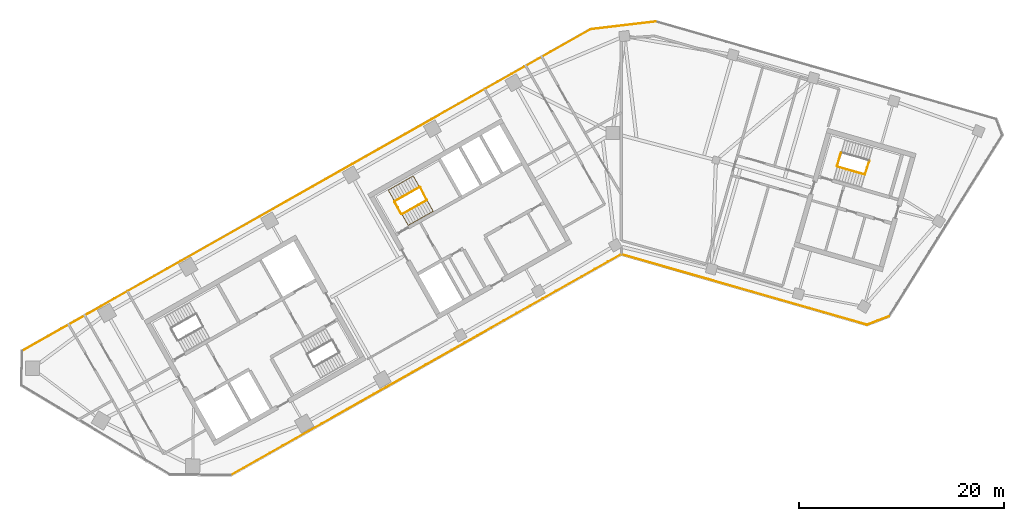
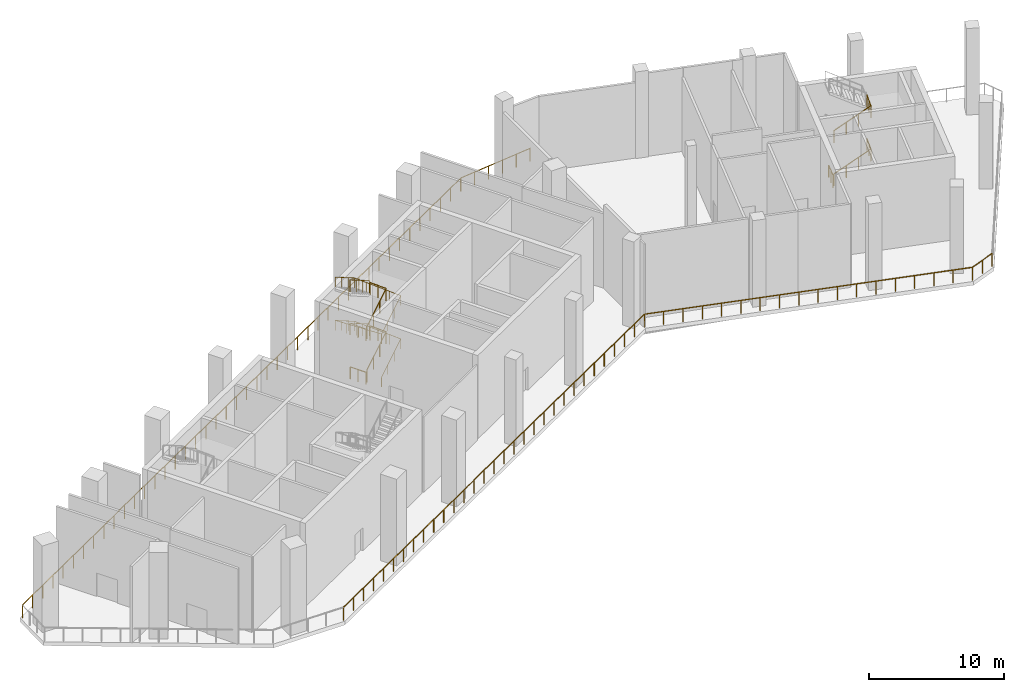
# One storey, part 7 of 8: 14 railings.
"""IFC4 building model written with IfcOpenShell, lengths in metres."""

from ifc_helpers import new_model, si_unit, direction, frame, origin, origin_2d, place, context, subcontext, project, spatial, circle, extrude, material, type_object, element, save


model = new_model("IFC4")

# Units and contexts
model_context = context("Model", 3, precision=1e-05, world=origin(), true_north=direction((0.0, 1.0)))
body_context = subcontext(model_context, "Body", "Model", "MODEL_VIEW")
ifc_project = project(units=[si_unit("LENGTHUNIT", "METRE"), si_unit("AREAUNIT", "SQUARE_METRE"), si_unit("VOLUMEUNIT", "CUBIC_METRE"), si_unit("PLANEANGLEUNIT", "RADIAN"), si_unit("MASSUNIT", "GRAM", prefix="KILO")], contexts=[model_context])

# Site, building, storey
site_placement = place(None, origin())
site = spatial("IfcSite", under=ifc_project, at=site_placement, CompositionType="ELEMENT")
building_placement = place(site_placement, origin())
building = spatial("IfcBuilding", under=site, at=building_placement, Name="Binnacle Exchange Tower", CompositionType="ELEMENT")
storey_placement = place(building_placement, frame((0.0, 0.0, 230.89990234375)))
storey = spatial("IfcBuildingStorey", under=building, at=storey_placement, Name="L51", CompositionType="ELEMENT", Elevation=230.89990234375)

# Railings
ifc_material_1 = material(Name="Bronze anodised aluminium frame", Category="aluminium")
railing_type_1 = type_object("IfcRailingType", Name="GUARD 1200", PredefinedType="GUARDRAIL", material=ifc_material_1)
railing_1_placement = place(storey_placement, frame((-58.52099609375, 38.718017578125, 0.0)))
element("IfcRailing", 1, at=railing_1_placement, inside=storey, type_object=railing_type_1, Name="Slab edge guard 3 L51", PredefinedType="GUARDRAIL", context=body_context, shape_type="SweptSolid", body=[
    extrude(circle(Radius=0.02392578125, at=origin_2d()), frame((0.0, 0.0, 1.17578125), z_axis=(0.870355770103, 0.49242342902, 0.0), x_axis=(-0.49242342902, 0.870355770103, 0.0)), (0.0, 0.0, 1.0), 63.792724609375),
    extrude(circle(Radius=0.02099609375, at=origin_2d()), origin(), (0.0, 0.0, 1.0), 1.15185546875),
    extrude(circle(Radius=0.02099609375, at=origin_2d()), frame((1.291259765625, 0.73046875, 0.0)), (0.0, 0.0, 1.0), 1.15185546875),
    extrude(circle(Radius=0.02099609375, at=origin_2d()), frame((2.58251953125, 1.461181640625, 0.0)), (0.0, 0.0, 1.0), 1.15185546875),
    extrude(circle(Radius=0.02099609375, at=origin_2d()), frame((3.873779296875, 2.191650390625, 0.0)), (0.0, 0.0, 1.0), 1.15185546875),
    extrude(circle(Radius=0.02099609375, at=origin_2d()), frame((5.164794921875, 2.922119140625, 0.0)), (0.0, 0.0, 1.0), 1.15185546875),
    extrude(circle(Radius=0.02099609375, at=origin_2d()), frame((6.4560546875, 3.652587890625, 0.0)), (0.0, 0.0, 1.0), 1.15185546875),
    extrude(circle(Radius=0.02099609375, at=origin_2d()), frame((7.747314453125, 4.38330078125, 0.0)), (0.0, 0.0, 1.0), 1.15185546875),
    extrude(circle(Radius=0.02099609375, at=origin_2d()), frame((9.03857421875, 5.11376953125, 0.0)), (0.0, 0.0, 1.0), 1.15185546875),
    extrude(circle(Radius=0.02099609375, at=origin_2d()), frame((10.329833984375, 5.84423828125, 0.0)), (0.0, 0.0, 1.0), 1.15185546875),
    extrude(circle(Radius=0.02099609375, at=origin_2d()), frame((11.62109375, 6.574951171875, 0.0)), (0.0, 0.0, 1.0), 1.15185546875),
    extrude(circle(Radius=0.02099609375, at=origin_2d()), frame((12.912109375, 7.305419921875, 0.0)), (0.0, 0.0, 1.0), 1.15185546875),
    extrude(circle(Radius=0.02099609375, at=origin_2d()), frame((14.203369140625, 8.035888671875, 0.0)), (0.0, 0.0, 1.0), 1.15185546875),
    extrude(circle(Radius=0.02099609375, at=origin_2d()), frame((15.49462890625, 8.766357421875, 0.0)), (0.0, 0.0, 1.0), 1.15185546875),
    extrude(circle(Radius=0.02099609375, at=origin_2d()), frame((16.785888671875, 9.4970703125, 0.0)), (0.0, 0.0, 1.0), 1.15185546875),
    extrude(circle(Radius=0.02099609375, at=origin_2d()), frame((18.0771484375, 10.2275390625, 0.0)), (0.0, 0.0, 1.0), 1.15185546875),
    extrude(circle(Radius=0.02099609375, at=origin_2d()), frame((19.368408203125, 10.9580078125, 0.0)), (0.0, 0.0, 1.0), 1.15185546875),
    extrude(circle(Radius=0.02099609375, at=origin_2d()), frame((20.659423828125, 11.6884765625, 0.0)), (0.0, 0.0, 1.0), 1.15185546875),
    extrude(circle(Radius=0.02099609375, at=origin_2d()), frame((21.95068359375, 12.419189453125, 0.0)), (0.0, 0.0, 1.0), 1.15185546875),
    extrude(circle(Radius=0.02099609375, at=origin_2d()), frame((23.241943359375, 13.149658203125, 0.0)), (0.0, 0.0, 1.0), 1.15185546875),
    extrude(circle(Radius=0.02099609375, at=origin_2d()), frame((24.533203125, 13.880126953125, 0.0)), (0.0, 0.0, 1.0), 1.15185546875),
    extrude(circle(Radius=0.02099609375, at=origin_2d()), frame((25.824462890625, 14.61083984375, 0.0)), (0.0, 0.0, 1.0), 1.15185546875),
    extrude(circle(Radius=0.02099609375, at=origin_2d()), frame((27.11572265625, 15.34130859375, 0.0)), (0.0, 0.0, 1.0), 1.15185546875),
    extrude(circle(Radius=0.02099609375, at=origin_2d()), frame((28.40673828125, 16.07177734375, 0.0)), (0.0, 0.0, 1.0), 1.15185546875),
    extrude(circle(Radius=0.02099609375, at=origin_2d()), frame((29.697998046875, 16.80224609375, 0.0)), (0.0, 0.0, 1.0), 1.15185546875),
    extrude(circle(Radius=0.02099609375, at=origin_2d()), frame((30.9892578125, 17.532958984375, 0.0)), (0.0, 0.0, 1.0), 1.15185546875),
    extrude(circle(Radius=0.02099609375, at=origin_2d()), frame((32.280517578125, 18.263427734375, 0.0)), (0.0, 0.0, 1.0), 1.15185546875),
    extrude(circle(Radius=0.02099609375, at=origin_2d()), frame((33.57177734375, 18.993896484375, 0.0)), (0.0, 0.0, 1.0), 1.15185546875),
    extrude(circle(Radius=0.02099609375, at=origin_2d()), frame((34.863037109375, 19.724609375, 0.0)), (0.0, 0.0, 1.0), 1.15185546875),
    extrude(circle(Radius=0.02099609375, at=origin_2d()), frame((36.154052734375, 20.455078125, 0.0)), (0.0, 0.0, 1.0), 1.15185546875),
    extrude(circle(Radius=0.02099609375, at=origin_2d()), frame((37.4453125, 21.185546875, 0.0)), (0.0, 0.0, 1.0), 1.15185546875),
    extrude(circle(Radius=0.02099609375, at=origin_2d()), frame((38.736572265625, 21.916015625, 0.0)), (0.0, 0.0, 1.0), 1.15185546875),
    extrude(circle(Radius=0.02099609375, at=origin_2d()), frame((40.02783203125, 22.646728515625, 0.0)), (0.0, 0.0, 1.0), 1.15185546875),
    extrude(circle(Radius=0.02099609375, at=origin_2d()), frame((41.319091796875, 23.377197265625, 0.0)), (0.0, 0.0, 1.0), 1.15185546875),
    extrude(circle(Radius=0.02099609375, at=origin_2d()), frame((42.6103515625, 24.107666015625, 0.0)), (0.0, 0.0, 1.0), 1.15185546875),
    extrude(circle(Radius=0.02099609375, at=origin_2d()), frame((43.9013671875, 24.838134765625, 0.0)), (0.0, 0.0, 1.0), 1.15185546875),
    extrude(circle(Radius=0.02099609375, at=origin_2d()), frame((45.192626953125, 25.56884765625, 0.0)), (0.0, 0.0, 1.0), 1.15185546875),
    extrude(circle(Radius=0.02099609375, at=origin_2d()), frame((46.48388671875, 26.29931640625, 0.0)), (0.0, 0.0, 1.0), 1.15185546875),
    extrude(circle(Radius=0.02099609375, at=origin_2d()), frame((47.775146484375, 27.02978515625, 0.0)), (0.0, 0.0, 1.0), 1.15185546875),
    extrude(circle(Radius=0.02099609375, at=origin_2d()), frame((49.06640625, 27.760498046875, 0.0)), (0.0, 0.0, 1.0), 1.15185546875),
    extrude(circle(Radius=0.02099609375, at=origin_2d()), frame((50.357666015625, 28.490966796875, 0.0)), (0.0, 0.0, 1.0), 1.15185546875),
    extrude(circle(Radius=0.02099609375, at=origin_2d()), frame((51.648681640625, 29.221435546875, 0.0)), (0.0, 0.0, 1.0), 1.15185546875),
    extrude(circle(Radius=0.02099609375, at=origin_2d()), frame((52.93994140625, 29.951904296875, 0.0)), (0.0, 0.0, 1.0), 1.15185546875),
    extrude(circle(Radius=0.02099609375, at=origin_2d()), frame((54.231201171875, 30.6826171875, 0.0)), (0.0, 0.0, 1.0), 1.15185546875),
    extrude(circle(Radius=0.02099609375, at=origin_2d()), frame((55.5224609375, 31.4130859375, 0.0)), (0.0, 0.0, 1.0), 1.15185546875),
])
railing_2_placement = place(storey_placement, frame((-2.99853515625, 70.131103515625, 0.0)))
element("IfcRailing", 2, at=railing_2_placement, inside=storey, type_object=railing_type_1, Name="Slab edge guard 4 L51", PredefinedType="GUARDRAIL", context=body_context, shape_type="SweptSolid", body=[
    extrude(circle(Radius=0.02392578125, at=origin_2d()), frame((0.0, 0.0, 1.17578125), z_axis=(0.993067222921, 0.117547823288, 0.0), x_axis=(-0.117547823288, 0.993067222921, 0.0)), (0.0, 0.0, 1.0), 6.39501953125),
    extrude(circle(Radius=0.02099609375, at=origin_2d()), origin(), (0.0, 0.0, 1.0), 1.15185546875),
    extrude(circle(Radius=0.02099609375, at=origin_2d()), frame((1.27001953125, 0.150390625, 0.0)), (0.0, 0.0, 1.0), 1.15185546875),
    extrude(circle(Radius=0.02099609375, at=origin_2d()), frame((2.540283203125, 0.30078125, 0.0)), (0.0, 0.0, 1.0), 1.15185546875),
    extrude(circle(Radius=0.02099609375, at=origin_2d()), frame((3.810302734375, 0.450927734375, 0.0)), (0.0, 0.0, 1.0), 1.15185546875),
    extrude(circle(Radius=0.02099609375, at=origin_2d()), frame((5.08056640625, 0.601318359375, 0.0)), (0.0, 0.0, 1.0), 1.15185546875),
    extrude(circle(Radius=0.02099609375, at=origin_2d()), frame((6.3505859375, 0.751708984375, 0.0)), (0.0, 0.0, 1.0), 1.15185546875),
])
railing_3_placement = place(storey_placement, frame((26.13037109375, 42.100341796875, 0.0)))
element("IfcRailing", 3, at=railing_3_placement, inside=storey, type_object=railing_type_1, Name="Slab edge guard 8 L51", PredefinedType="GUARDRAIL", context=body_context, shape_type="SweptSolid", body=[
    extrude(circle(Radius=0.02392578125, at=origin_2d()), frame((0.0, 0.0, 1.17578125), z_axis=(-0.933600298322, -0.358316177381, 0.0), x_axis=(0.358316177381, -0.933600298322, 0.0)), (0.0, 0.0, 1.0), 2.29541015625),
    extrude(circle(Radius=0.02099609375, at=origin_2d()), origin(), (0.0, 0.0, 1.0), 1.15185546875),
    extrude(circle(Radius=0.02099609375, at=origin_2d()), frame((-1.071533203125, -0.4111328125, 0.0)), (0.0, 0.0, 1.0), 1.15185546875),
    extrude(circle(Radius=0.02099609375, at=origin_2d()), frame((-2.14306640625, -0.822509765625, 0.0)), (0.0, 0.0, 1.0), 1.15185546875),
])
railing_4_placement = place(storey_placement, frame((23.9873046875, 41.27783203125, 0.0)))
element("IfcRailing", 4, at=railing_4_placement, inside=storey, type_object=railing_type_1, Name="Slab edge guard 9 L51", PredefinedType="GUARDRAIL", context=body_context, shape_type="SweptSolid", body=[
    extrude(circle(Radius=0.02392578125, at=origin_2d()), frame((0.0, 0.0, 1.17578125), z_axis=(-0.96126085096, 0.27564030259, 0.0), x_axis=(-0.27564030259, -0.96126085096, 0.0)), (0.0, 0.0, 1.0), 24.973876953125),
    extrude(circle(Radius=0.02099609375, at=origin_2d()), origin(), (0.0, 0.0, 1.0), 1.15185546875),
    extrude(circle(Radius=0.02099609375, at=origin_2d()), frame((-1.412109375, 0.405029296875, 0.0)), (0.0, 0.0, 1.0), 1.15185546875),
    extrude(circle(Radius=0.02099609375, at=origin_2d()), frame((-2.82421875, 0.809814453125, 0.0)), (0.0, 0.0, 1.0), 1.15185546875),
    extrude(circle(Radius=0.02099609375, at=origin_2d()), frame((-4.236328125, 1.21484375, 0.0)), (0.0, 0.0, 1.0), 1.15185546875),
    extrude(circle(Radius=0.02099609375, at=origin_2d()), frame((-5.6484375, 1.61962890625, 0.0)), (0.0, 0.0, 1.0), 1.15185546875),
    extrude(circle(Radius=0.02099609375, at=origin_2d()), frame((-7.060791015625, 2.024658203125, 0.0)), (0.0, 0.0, 1.0), 1.15185546875),
    extrude(circle(Radius=0.02099609375, at=origin_2d()), frame((-8.472900390625, 2.4296875, 0.0)), (0.0, 0.0, 1.0), 1.15185546875),
    extrude(circle(Radius=0.02099609375, at=origin_2d()), frame((-9.885009765625, 2.83447265625, 0.0)), (0.0, 0.0, 1.0), 1.15185546875),
    extrude(circle(Radius=0.02099609375, at=origin_2d()), frame((-11.297119140625, 3.239501953125, 0.0)), (0.0, 0.0, 1.0), 1.15185546875),
    extrude(circle(Radius=0.02099609375, at=origin_2d()), frame((-12.709228515625, 3.644287109375, 0.0)), (0.0, 0.0, 1.0), 1.15185546875),
    extrude(circle(Radius=0.02099609375, at=origin_2d()), frame((-14.121337890625, 4.04931640625, 0.0)), (0.0, 0.0, 1.0), 1.15185546875),
    extrude(circle(Radius=0.02099609375, at=origin_2d()), frame((-15.533447265625, 4.4541015625, 0.0)), (0.0, 0.0, 1.0), 1.15185546875),
    extrude(circle(Radius=0.02099609375, at=origin_2d()), frame((-16.945556640625, 4.859130859375, 0.0)), (0.0, 0.0, 1.0), 1.15185546875),
    extrude(circle(Radius=0.02099609375, at=origin_2d()), frame((-18.35791015625, 5.26416015625, 0.0)), (0.0, 0.0, 1.0), 1.15185546875),
    extrude(circle(Radius=0.02099609375, at=origin_2d()), frame((-19.77001953125, 5.6689453125, 0.0)), (0.0, 0.0, 1.0), 1.15185546875),
    extrude(circle(Radius=0.02099609375, at=origin_2d()), frame((-21.18212890625, 6.073974609375, 0.0)), (0.0, 0.0, 1.0), 1.15185546875),
    extrude(circle(Radius=0.02099609375, at=origin_2d()), frame((-22.59423828125, 6.478759765625, 0.0)), (0.0, 0.0, 1.0), 1.15185546875),
    extrude(circle(Radius=0.02099609375, at=origin_2d()), frame((-24.00634765625, 6.8837890625, 0.0)), (0.0, 0.0, 1.0), 1.15185546875),
])
railing_5_placement = place(storey_placement, frame((-0.01904296875, 48.16162109375, 0.0)))
element("IfcRailing", 5, at=railing_5_placement, inside=storey, type_object=railing_type_1, Name="Slab edge guard 10 L51", PredefinedType="GUARDRAIL", context=body_context, shape_type="SweptSolid", body=[
    extrude(circle(Radius=0.02392578125, at=origin_2d()), frame((0.0, 0.0, 1.17578125), z_axis=(-0.870354592343, -0.4924255107, 0.0), x_axis=(0.4924255107, -0.870354592343, 0.0)), (0.0, 0.0, 1.0), 43.79541015625),
    extrude(circle(Radius=0.02099609375, at=origin_2d()), origin(), (0.0, 0.0, 1.0), 1.15185546875),
    extrude(circle(Radius=0.02099609375, at=origin_2d()), frame((-1.2705078125, -0.71875, 0.0)), (0.0, 0.0, 1.0), 1.15185546875),
    extrude(circle(Radius=0.02099609375, at=origin_2d()), frame((-2.541259765625, -1.437744140625, 0.0)), (0.0, 0.0, 1.0), 1.15185546875),
    extrude(circle(Radius=0.02099609375, at=origin_2d()), frame((-3.811767578125, -2.156494140625, 0.0)), (0.0, 0.0, 1.0), 1.15185546875),
    extrude(circle(Radius=0.02099609375, at=origin_2d()), frame((-5.082275390625, -2.87548828125, 0.0)), (0.0, 0.0, 1.0), 1.15185546875),
    extrude(circle(Radius=0.02099609375, at=origin_2d()), frame((-6.35302734375, -3.59423828125, 0.0)), (0.0, 0.0, 1.0), 1.15185546875),
    extrude(circle(Radius=0.02099609375, at=origin_2d()), frame((-7.62353515625, -4.313232421875, 0.0)), (0.0, 0.0, 1.0), 1.15185546875),
    extrude(circle(Radius=0.02099609375, at=origin_2d()), frame((-8.89404296875, -5.031982421875, 0.0)), (0.0, 0.0, 1.0), 1.15185546875),
    extrude(circle(Radius=0.02099609375, at=origin_2d()), frame((-10.16455078125, -5.7509765625, 0.0)), (0.0, 0.0, 1.0), 1.15185546875),
    extrude(circle(Radius=0.02099609375, at=origin_2d()), frame((-11.435302734375, -6.4697265625, 0.0)), (0.0, 0.0, 1.0), 1.15185546875),
    extrude(circle(Radius=0.02099609375, at=origin_2d()), frame((-12.705810546875, -7.188720703125, 0.0)), (0.0, 0.0, 1.0), 1.15185546875),
    extrude(circle(Radius=0.02099609375, at=origin_2d()), frame((-13.976318359375, -7.907470703125, 0.0)), (0.0, 0.0, 1.0), 1.15185546875),
    extrude(circle(Radius=0.02099609375, at=origin_2d()), frame((-15.2470703125, -8.62646484375, 0.0)), (0.0, 0.0, 1.0), 1.15185546875),
    extrude(circle(Radius=0.02099609375, at=origin_2d()), frame((-16.517578125, -9.34521484375, 0.0)), (0.0, 0.0, 1.0), 1.15185546875),
    extrude(circle(Radius=0.02099609375, at=origin_2d()), frame((-17.7880859375, -10.064208984375, 0.0)), (0.0, 0.0, 1.0), 1.15185546875),
    extrude(circle(Radius=0.02099609375, at=origin_2d()), frame((-19.05859375, -10.782958984375, 0.0)), (0.0, 0.0, 1.0), 1.15185546875),
    extrude(circle(Radius=0.02099609375, at=origin_2d()), frame((-20.329345703125, -11.501708984375, 0.0)), (0.0, 0.0, 1.0), 1.15185546875),
    extrude(circle(Radius=0.02099609375, at=origin_2d()), frame((-21.599853515625, -12.220703125, 0.0)), (0.0, 0.0, 1.0), 1.15185546875),
    extrude(circle(Radius=0.02099609375, at=origin_2d()), frame((-22.870361328125, -12.939453125, 0.0)), (0.0, 0.0, 1.0), 1.15185546875),
    extrude(circle(Radius=0.02099609375, at=origin_2d()), frame((-24.14111328125, -13.658447265625, 0.0)), (0.0, 0.0, 1.0), 1.15185546875),
    extrude(circle(Radius=0.02099609375, at=origin_2d()), frame((-25.41162109375, -14.377197265625, 0.0)), (0.0, 0.0, 1.0), 1.15185546875),
    extrude(circle(Radius=0.02099609375, at=origin_2d()), frame((-26.68212890625, -15.09619140625, 0.0)), (0.0, 0.0, 1.0), 1.15185546875),
    extrude(circle(Radius=0.02099609375, at=origin_2d()), frame((-27.952880859375, -15.81494140625, 0.0)), (0.0, 0.0, 1.0), 1.15185546875),
    extrude(circle(Radius=0.02099609375, at=origin_2d()), frame((-29.223388671875, -16.533935546875, 0.0)), (0.0, 0.0, 1.0), 1.15185546875),
    extrude(circle(Radius=0.02099609375, at=origin_2d()), frame((-30.493896484375, -17.252685546875, 0.0)), (0.0, 0.0, 1.0), 1.15185546875),
    extrude(circle(Radius=0.02099609375, at=origin_2d()), frame((-31.7646484375, -17.9716796875, 0.0)), (0.0, 0.0, 1.0), 1.15185546875),
    extrude(circle(Radius=0.02099609375, at=origin_2d()), frame((-33.03515625, -18.6904296875, 0.0)), (0.0, 0.0, 1.0), 1.15185546875),
    extrude(circle(Radius=0.02099609375, at=origin_2d()), frame((-34.3056640625, -19.409423828125, 0.0)), (0.0, 0.0, 1.0), 1.15185546875),
    extrude(circle(Radius=0.02099609375, at=origin_2d()), frame((-35.576171875, -20.128173828125, 0.0)), (0.0, 0.0, 1.0), 1.15185546875),
    extrude(circle(Radius=0.02099609375, at=origin_2d()), frame((-36.846923828125, -20.84716796875, 0.0)), (0.0, 0.0, 1.0), 1.15185546875),
    extrude(circle(Radius=0.02099609375, at=origin_2d()), frame((-38.117431640625, -21.56591796875, 0.0)), (0.0, 0.0, 1.0), 1.15185546875),
])
ifc_material_2 = material(Name="Steel guard rail", Category="steel")
railing_type_2 = type_object("IfcRailingType", Name="STAIR GUARD 1100", PredefinedType="GUARDRAIL", material=ifc_material_2)
railing_6_placement = place(storey_placement, frame((-21.423828125, 52.07275390625, 0.177490234375)))
element("IfcRailing", 6, at=railing_6_placement, inside=storey, type_object=railing_type_2, Name="L51 STC1 stair guard 1", PredefinedType="GUARDRAIL", context=body_context, shape_type="SweptSolid", body=[
    extrude(circle(Radius=0.02392578125, at=origin_2d()), frame((0.0, 0.0, 1.076171875), z_axis=(0.735381288273, 0.416018647052, 0.534923215202), x_axis=(-0.492387636113, 0.870376019777, 0.0)), (0.0, 0.0, 1.0), 3.31396484375),
    extrude(circle(Radius=0.02392578125, at=origin_2d()), frame((2.43701171875, 1.378662109375, 2.8486328125), z_axis=(-0.460963092712, 0.887419307406, 0.0), x_axis=(-0.887419307406, -0.460963092712, 0.0)), (0.0, 0.0, 1.0), 1.40087890625),
    extrude(circle(Radius=0.02099609375, at=origin_2d()), origin(), (0.0, 0.0, 1.0), 1.052001953125),
    extrude(circle(Radius=0.02099609375, at=origin_2d()), frame((0.812255859375, 0.45947265625, 0.5908203125)), (0.0, 0.0, 1.0), 1.052001953125),
    extrude(circle(Radius=0.02099609375, at=origin_2d()), frame((1.624755859375, 0.919189453125, 1.181884765625)), (0.0, 0.0, 1.0), 1.052001953125),
    extrude(circle(Radius=0.02099609375, at=origin_2d()), frame((2.43701171875, 1.378662109375, 1.772705078125)), (0.0, 0.0, 1.0), 1.052001953125),
    extrude(circle(Radius=0.02099609375, at=origin_2d()), frame((2.1142578125, 2.000244140625, 1.772705078125)), (0.0, 0.0, 1.0), 1.052001953125),
    extrude(circle(Radius=0.02099609375, at=origin_2d()), frame((1.791259765625, 2.621826171875, 1.772705078125)), (0.0, 0.0, 1.0), 1.052001953125),
])
railing_7_placement = place(storey_placement, frame((-19.70068359375, 54.71337890625, 2.12744140625)))
element("IfcRailing", 7, at=railing_7_placement, inside=storey, type_object=railing_type_2, Name="L51 STC1 stair guard 2", PredefinedType="GUARDRAIL", context=body_context, shape_type="SweptSolid", body=[
    extrude(circle(Radius=0.02392578125, at=origin_2d()), frame((0.0, 0.0, 1.076171875), z_axis=(-0.735381288273, -0.416018647052, 0.534923215202), x_axis=(0.492387636113, -0.870376019777, 0.0)), (0.0, 0.0, 1.0), 3.31396484375),
    extrude(circle(Radius=0.02392578125, at=origin_2d()), frame((-2.43701171875, -1.378662109375, 2.8486328125), z_axis=(0.460963092712, -0.887419307406, 0.0), x_axis=(0.887419307406, 0.460963092712, 0.0)), (0.0, 0.0, 1.0), 1.40087890625),
    extrude(circle(Radius=0.02099609375, at=origin_2d()), origin(), (0.0, 0.0, 1.0), 1.052001953125),
    extrude(circle(Radius=0.02099609375, at=origin_2d()), frame((-0.812255859375, -0.45947265625, 0.5908203125)), (0.0, 0.0, 1.0), 1.052001953125),
    extrude(circle(Radius=0.02099609375, at=origin_2d()), frame((-1.624755859375, -0.919189453125, 1.181884765625)), (0.0, 0.0, 1.0), 1.052001953125),
    extrude(circle(Radius=0.02099609375, at=origin_2d()), frame((-2.43701171875, -1.378662109375, 1.772705078125)), (0.0, 0.0, 1.0), 1.052001953125),
    extrude(circle(Radius=0.02099609375, at=origin_2d()), frame((-2.1142578125, -2.000244140625, 1.772705078125)), (0.0, 0.0, 1.0), 1.052001953125),
    extrude(circle(Radius=0.02099609375, at=origin_2d()), frame((-1.791259765625, -2.621826171875, 1.772705078125)), (0.0, 0.0, 1.0), 1.052001953125),
])
railing_8_placement = place(storey_placement, frame((-21.423828125, 52.07275390625, 4.077392578125)))
element("IfcRailing", 8, at=railing_8_placement, inside=storey, type_object=railing_type_2, Name="L51 STC1 stair guard 3", PredefinedType="GUARDRAIL", context=body_context, shape_type="SweptSolid", body=[
    extrude(circle(Radius=0.02392578125, at=origin_2d()), frame((0.0, 0.0, 1.076171875), z_axis=(0.735381288273, 0.416018647052, 0.534923215202), x_axis=(-0.492387636113, 0.870376019777, 0.0)), (0.0, 0.0, 1.0), 3.31396484375),
    extrude(circle(Radius=0.02392578125, at=origin_2d()), frame((2.43701171875, 1.378662109375, 2.8486328125), z_axis=(-0.460963092712, 0.887419307406, 0.0), x_axis=(-0.887419307406, -0.460963092712, 0.0)), (0.0, 0.0, 1.0), 1.40087890625),
    extrude(circle(Radius=0.02099609375, at=origin_2d()), origin(), (0.0, 0.0, 1.0), 1.052001953125),
    extrude(circle(Radius=0.02099609375, at=origin_2d()), frame((0.812255859375, 0.45947265625, 0.5908203125)), (0.0, 0.0, 1.0), 1.052001953125),
    extrude(circle(Radius=0.02099609375, at=origin_2d()), frame((1.624755859375, 0.919189453125, 1.181884765625)), (0.0, 0.0, 1.0), 1.052001953125),
    extrude(circle(Radius=0.02099609375, at=origin_2d()), frame((2.43701171875, 1.378662109375, 1.772705078125)), (0.0, 0.0, 1.0), 1.052001953125),
    extrude(circle(Radius=0.02099609375, at=origin_2d()), frame((2.1142578125, 2.000244140625, 1.772705078125)), (0.0, 0.0, 1.0), 1.052001953125),
    extrude(circle(Radius=0.02099609375, at=origin_2d()), frame((1.791259765625, 2.621826171875, 1.772705078125)), (0.0, 0.0, 1.0), 1.052001953125),
])
railing_9_placement = place(storey_placement, frame((-19.70068359375, 54.71337890625, 6.02734375)))
element("IfcRailing", 9, at=railing_9_placement, inside=storey, type_object=railing_type_2, Name="L51 STC1 stair guard 4", PredefinedType="GUARDRAIL", context=body_context, shape_type="SweptSolid", body=[
    extrude(circle(Radius=0.02392578125, at=origin_2d()), frame((0.0, 0.0, 1.076171875), z_axis=(-0.735381288273, -0.416018647052, 0.534923215202), x_axis=(0.492387636113, -0.870376019777, 0.0)), (0.0, 0.0, 1.0), 3.31396484375),
    extrude(circle(Radius=0.02099609375, at=origin_2d()), origin(), (0.0, 0.0, 1.0), 1.052001953125),
    extrude(circle(Radius=0.02099609375, at=origin_2d()), frame((-0.812255859375, -0.45947265625, 0.5908203125)), (0.0, 0.0, 1.0), 1.052001953125),
    extrude(circle(Radius=0.02099609375, at=origin_2d()), frame((-1.624755859375, -0.919189453125, 1.181884765625)), (0.0, 0.0, 1.0), 1.052001953125),
    extrude(circle(Radius=0.02099609375, at=origin_2d()), frame((-2.43701171875, -1.378662109375, 1.772705078125)), (0.0, 0.0, 1.0), 1.052001953125),
])
railing_10_placement = place(storey_placement, frame((-21.491943359375, 52.091552734375, 0.0)))
element("IfcRailing", 10, at=railing_10_placement, inside=storey, type_object=railing_type_2, Name="L51 STC1 stair guard 5", PredefinedType="GUARDRAIL", context=body_context, shape_type="SweptSolid", body=[
    extrude(circle(Radius=0.02392578125, at=origin_2d()), frame((0.0, 0.0, 1.076171875), z_axis=(-0.49241474071, 0.870360685654, 0.0), x_axis=(-0.870360685654, -0.49241474071, 0.0)), (0.0, 0.0, 1.0), 1.35009765625),
    extrude(circle(Radius=0.02099609375, at=origin_2d()), origin(), (0.0, 0.0, 1.0), 1.052001953125),
    extrude(circle(Radius=0.02099609375, at=origin_2d()), frame((-0.33251953125, 0.58740234375, 0.0)), (0.0, 0.0, 1.0), 1.052001953125),
    extrude(circle(Radius=0.02099609375, at=origin_2d()), frame((-0.664794921875, 1.175048828125, 0.0)), (0.0, 0.0, 1.0), 1.052001953125),
])
for number, where, name in (
    (11, (21.086669921875, 56.71044921875, 0.177490234375), "L51 STD1 stair guard 1"),
    (12, (21.086669921875, 56.71044921875, 4.077392578125), "L51 STD1 stair guard 3"),
):
    element("IfcRailing", number, at=place(storey_placement, frame(where)), inside=storey, type_object=railing_type_2, Name=name, PredefinedType="GUARDRAIL", context=body_context, shape_type="SweptSolid", body=[
        extrude(circle(Radius=0.02392578125, at=origin_2d()), frame((0.0, 0.0, 1.076171875), z_axis=(0.81215085225, -0.232948203448, 0.534926282491), x_axis=(0.275711388614, 0.96124046429, 0.0)), (0.0, 0.0, 1.0), 3.31396484375),
        extrude(circle(Radius=0.02392578125, at=origin_2d()), frame((2.69140625, -0.77197265625, 2.8486328125), z_axis=(0.309842533299, 0.950787886208, 0.0), x_axis=(-0.950787886208, 0.309842533299, 0.0)), (0.0, 0.0, 1.0), 1.40087890625),
        extrude(circle(Radius=0.02099609375, at=origin_2d()), origin(), (0.0, 0.0, 1.0), 1.052001953125),
        extrude(circle(Radius=0.02099609375, at=origin_2d()), frame((0.897216796875, -0.25732421875, 0.5908203125)), (0.0, 0.0, 1.0), 1.052001953125),
        extrude(circle(Radius=0.02099609375, at=origin_2d()), frame((1.794189453125, -0.5146484375, 1.181884765625)), (0.0, 0.0, 1.0), 1.052001953125),
        extrude(circle(Radius=0.02099609375, at=origin_2d()), frame((2.69140625, -0.77197265625, 1.772705078125)), (0.0, 0.0, 1.0), 1.052001953125),
        extrude(circle(Radius=0.02099609375, at=origin_2d()), frame((2.908447265625, -0.10595703125, 1.772705078125)), (0.0, 0.0, 1.0), 1.052001953125),
        extrude(circle(Radius=0.02099609375, at=origin_2d()), frame((3.12548828125, 0.56005859375, 1.772705078125)), (0.0, 0.0, 1.0), 1.052001953125),
    ])
railing_11_placement = place(storey_placement, frame((21.05224609375, 56.772216796875, 0.0)))
element("IfcRailing", 13, at=railing_11_placement, inside=storey, type_object=railing_type_2, Name="L51 STD1 stair guard 5", PredefinedType="GUARDRAIL", context=body_context, shape_type="SweptSolid", body=[
    extrude(circle(Radius=0.02392578125, at=origin_2d()), frame((0.0, 0.0, 1.076171875), z_axis=(0.275795817769, 0.961216243569, 0.0), x_axis=(-0.961216243569, 0.275795817769, 0.0)), (0.0, 0.0, 1.0), 1.349853515625),
    extrude(circle(Radius=0.02099609375, at=origin_2d()), origin(), (0.0, 0.0, 1.0), 1.052001953125),
    extrude(circle(Radius=0.02099609375, at=origin_2d()), frame((0.18603515625, 0.64892578125, 0.0)), (0.0, 0.0, 1.0), 1.052001953125),
    extrude(circle(Radius=0.02099609375, at=origin_2d()), frame((0.372314453125, 1.297607421875, 0.0)), (0.0, 0.0, 1.0), 1.052001953125),
])
ifc_material_3 = material(Name="Steel handrail", Category="steel")
railing_type_3 = type_object("IfcRailingType", Name="STAIR HANDRAIL 900", PredefinedType="HANDRAIL", material=ifc_material_3)
railing_12_placement = place(storey_placement, frame((-20.808349609375, 50.984619140625, 0.177490234375)))
element("IfcRailing", 14, at=railing_12_placement, inside=storey, type_object=railing_type_3, Name="L51 STC1 stair handrail 1", PredefinedType="HANDRAIL", context=body_context, shape_type="SweptSolid", body=[
    extrude(circle(Radius=0.02392578125, at=origin_2d()), frame((0.0, 0.0, 0.8759765625), z_axis=(0.735358749054, 0.416079564682, 0.534906819964), x_axis=(-0.492453686477, 0.870338650569, 0.0)), (0.0, 0.0, 1.0), 3.31396484375),
    extrude(circle(Radius=0.02392578125, at=origin_2d()), frame((2.43701171875, 1.37890625, 2.6484375), z_axis=(-0.491945051309, 0.869471352766, 0.044828932754), x_axis=(-0.87034633103, -0.492440112159, 0.0)), (0.0, 0.0, 1.0), 3.953857421875),
    extrude(circle(Radius=0.02392578125, at=origin_2d()), frame((0.491943359375, 4.816650390625, 2.82568359375), z_axis=(-0.735381288273, -0.416018647052, 0.534923215202), x_axis=(0.492387636113, -0.870376019777, 0.0)), (0.0, 0.0, 1.0), 3.31396484375),
    extrude(circle(Radius=0.02392578125, at=origin_2d()), frame((-1.945068359375, 3.43798828125, 4.5986328125), z_axis=(0.491918640963, -0.869486419234, 0.044826526087), x_axis=(0.870361318571, 0.492413622004, 0.0)), (0.0, 0.0, 1.0), 3.9541015625),
    extrude(circle(Radius=0.02392578125, at=origin_2d()), frame((0.0, 0.0, 4.77587890625), z_axis=(0.735358749054, 0.416079564682, 0.534906819964), x_axis=(-0.492453686477, 0.870338650569, 0.0)), (0.0, 0.0, 1.0), 3.31396484375),
    extrude(circle(Radius=0.02392578125, at=origin_2d()), frame((2.43701171875, 1.37890625, 6.54833984375), z_axis=(-0.491945051309, 0.869471352766, 0.044828932754), x_axis=(-0.87034633103, -0.492440112159, 0.0)), (0.0, 0.0, 1.0), 3.953857421875),
    extrude(circle(Radius=0.02392578125, at=origin_2d()), frame((0.491943359375, 4.816650390625, 6.7255859375), z_axis=(-0.735381288273, -0.416018647052, 0.534923215202), x_axis=(0.492387636113, -0.870376019777, 0.0)), (0.0, 0.0, 1.0), 3.31396484375),
    extrude(circle(Radius=0.02099609375, at=origin_2d()), origin(), (0.0, 0.0, 1.0), 0.851806640625),
    extrude(circle(Radius=0.02099609375, at=origin_2d()), frame((0.812255859375, 0.459716796875, 0.5908203125)), (0.0, 0.0, 1.0), 0.851806640625),
    extrude(circle(Radius=0.02099609375, at=origin_2d()), frame((1.624755859375, 0.919189453125, 1.181884765625)), (0.0, 0.0, 1.0), 0.851806640625),
    extrude(circle(Radius=0.02099609375, at=origin_2d()), frame((2.43701171875, 1.37890625, 1.772705078125)), (0.0, 0.0, 1.0), 0.851806640625),
    extrude(circle(Radius=0.02099609375, at=origin_2d()), frame((1.95068359375, 2.23828125, 1.81689453125)), (0.0, 0.0, 1.0), 0.851806640625),
    extrude(circle(Radius=0.02099609375, at=origin_2d()), frame((1.46435546875, 3.09765625, 1.861328125)), (0.0, 0.0, 1.0), 0.851806640625),
    extrude(circle(Radius=0.02099609375, at=origin_2d()), frame((0.978271484375, 3.957275390625, 1.90576171875)), (0.0, 0.0, 1.0), 0.851806640625),
    extrude(circle(Radius=0.02099609375, at=origin_2d()), frame((0.491943359375, 4.816650390625, 1.949951171875)), (0.0, 0.0, 1.0), 0.851806640625),
    extrude(circle(Radius=0.02099609375, at=origin_2d()), frame((-0.3203125, 4.357177734375, 2.540771484375)), (0.0, 0.0, 1.0), 0.851806640625),
    extrude(circle(Radius=0.02099609375, at=origin_2d()), frame((-1.1328125, 3.8974609375, 3.1318359375)), (0.0, 0.0, 1.0), 0.851806640625),
    extrude(circle(Radius=0.02099609375, at=origin_2d()), frame((-1.945068359375, 3.43798828125, 3.72265625)), (0.0, 0.0, 1.0), 0.851806640625),
    extrude(circle(Radius=0.02099609375, at=origin_2d()), frame((-1.458740234375, 2.57861328125, 3.76708984375)), (0.0, 0.0, 1.0), 0.851806640625),
    extrude(circle(Radius=0.02099609375, at=origin_2d()), frame((-0.97265625, 1.718994140625, 3.811279296875)), (0.0, 0.0, 1.0), 0.851806640625),
    extrude(circle(Radius=0.02099609375, at=origin_2d()), frame((-0.486328125, 0.859375, 3.85546875)), (0.0, 0.0, 1.0), 0.851806640625),
    extrude(circle(Radius=0.02099609375, at=origin_2d()), frame((0.0, 0.0, 3.89990234375)), (0.0, 0.0, 1.0), 0.851806640625),
    extrude(circle(Radius=0.02099609375, at=origin_2d()), frame((0.812255859375, 0.459716796875, 4.49072265625)), (0.0, 0.0, 1.0), 0.851806640625),
    extrude(circle(Radius=0.02099609375, at=origin_2d()), frame((1.624755859375, 0.919189453125, 5.081787109375)), (0.0, 0.0, 1.0), 0.851806640625),
    extrude(circle(Radius=0.02099609375, at=origin_2d()), frame((2.43701171875, 1.37890625, 5.672607421875)), (0.0, 0.0, 1.0), 0.851806640625),
    extrude(circle(Radius=0.02099609375, at=origin_2d()), frame((1.95068359375, 2.23828125, 5.716796875)), (0.0, 0.0, 1.0), 0.851806640625),
    extrude(circle(Radius=0.02099609375, at=origin_2d()), frame((1.46435546875, 3.09765625, 5.76123046875)), (0.0, 0.0, 1.0), 0.851806640625),
    extrude(circle(Radius=0.02099609375, at=origin_2d()), frame((0.978271484375, 3.957275390625, 5.8056640625)), (0.0, 0.0, 1.0), 0.851806640625),
    extrude(circle(Radius=0.02099609375, at=origin_2d()), frame((0.491943359375, 4.816650390625, 5.849853515625)), (0.0, 0.0, 1.0), 0.851806640625),
    extrude(circle(Radius=0.02099609375, at=origin_2d()), frame((-0.3203125, 4.357177734375, 6.440673828125)), (0.0, 0.0, 1.0), 0.851806640625),
    extrude(circle(Radius=0.02099609375, at=origin_2d()), frame((-1.1328125, 3.8974609375, 7.03173828125)), (0.0, 0.0, 1.0), 0.851806640625),
    extrude(circle(Radius=0.02099609375, at=origin_2d()), frame((-1.945068359375, 3.43798828125, 7.62255859375)), (0.0, 0.0, 1.0), 0.851806640625),
])

save(model, "model.ifc")
